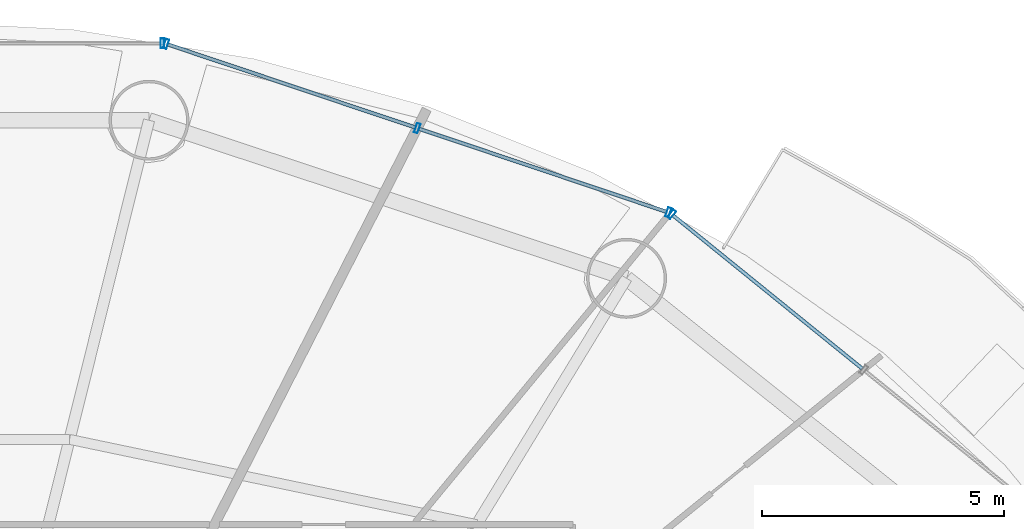
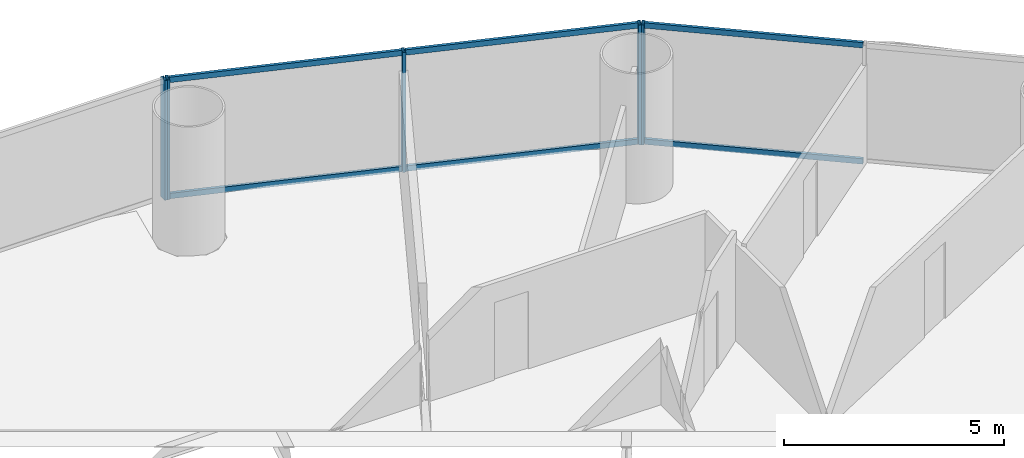
# One storey, part 20 of 30: 11 members, 3 elements without a shape of their own.
"""IFC4 building model written with IfcOpenShell, lengths in metres."""

from ifc_helpers import new_model, si_unit, direction, frame, origin, origin_2d, place, context, subcontext, project, spatial, hollow_rectangle, extrude, source, transform, mapped, material, material_profile, profile_set, type_object, element, aggregate, save


model = new_model("IFC4")

# Units and contexts
model_context = context("Model", 3, precision=1e-05, world=origin(), true_north=direction((-0.2419218956, 0.970295726276)))
body_context = subcontext(model_context, "Body", "Model", "MODEL_VIEW")
ifc_project = project(units=[si_unit("LENGTHUNIT", "METRE"), si_unit("AREAUNIT", "SQUARE_METRE"), si_unit("VOLUMEUNIT", "CUBIC_METRE"), si_unit("PLANEANGLEUNIT", "RADIAN"), si_unit("MASSUNIT", "GRAM", prefix="KILO")], contexts=[model_context])

# Site, building, storey
site_placement = place(None, origin())
site = spatial("IfcSite", under=ifc_project, at=site_placement, CompositionType="ELEMENT")
building_placement = place(site_placement, origin())
building = spatial("IfcBuilding", under=site, at=building_placement, Name="Cobrevalo Terracotta Tower", CompositionType="ELEMENT")
storey_placement = place(building_placement, frame((0.0, 0.0, 31.199951171875)))
storey = spatial("IfcBuildingStorey", under=building, at=storey_placement, Name="L07", CompositionType="ELEMENT", Elevation=31.199951171875)

# Curtain wall, member
ifc_material = material(Name="Anodized aluminium", Category="aluminium")
curtain_wall_type = type_object("IfcCurtainWallType", Name="Lower-tower unitised acoustic low-E curtain wall CW-U1", PredefinedType="NOTDEFINED", material=ifc_material)
curtain_wall_1_placement = place(storey_placement, origin())
curtain_wall_1 = element("IfcCurtainWall", 1, at=curtain_wall_1_placement, inside=storey, type_object=curtain_wall_type, Name="L07 curtain wall CW-L07-S02", PredefinedType="NOTDEFINED")
ifc_material_profile_1 = material_profile(ifc_material, hollow_rectangle(XDim=0.074951171875, YDim=0.199951171875, WallThickness=0.0048828125, at=origin_2d()), Name="CWM 75x200")
ifc_profile_set_1 = profile_set([ifc_material_profile_1], Name="Anodized aluminium")
member_type_1 = type_object("IfcMemberType", Name="Lower/mid tower unitised mullion 75x200", PredefinedType="MULLION", material=ifc_profile_set_1)
shared_shape_1 = source(origin(), body_context, "Body", "SweptSolid", [
    extrude(hollow_rectangle(XDim=0.074951171875, YDim=0.199951171875, WallThickness=0.0048828125, at=origin_2d()), origin(), (0.0, 0.0, 1.0), 3.320068359375),
])
member_1_placement = place(storey_placement, frame((54.1259765625, 46.289306640625, 0.0), z_axis=(0.0, 0.0, 1.0), x_axis=(-0.777003153187, 0.629496703675, 0.0)))
member_1 = element("IfcMember", 2, at=member_1_placement, type_object=member_type_1, Name="CW-L07-S02 vertical mullion 03", PredefinedType="MULLION", context=body_context, shape_type="MappedRepresentation", body=[
    mapped(shared_shape_1, transform((0.0, 0.0, 0.0), scale=1.0)),
])

# Curtain wall, members
curtain_wall_2_placement = place(storey_placement, origin())
curtain_wall_2 = element("IfcCurtainWall", 3, at=curtain_wall_2_placement, inside=storey, type_object=curtain_wall_type, Name="L07 curtain wall CW-L07-S03", PredefinedType="NOTDEFINED")
member_2_placement = place(storey_placement, frame((54.056884765625, 46.327392578125, 0.0), z_axis=(0.0, 0.0, 1.0), x_axis=(-0.948046393597, 0.318132103987, 0.0)))
member_2 = element("IfcMember", 4, at=member_2_placement, type_object=member_type_1, Name="CW-L07-S03 vertical mullion 01", PredefinedType="MULLION", context=body_context, shape_type="MappedRepresentation", body=[
    mapped(shared_shape_1, transform((0.0, 0.0, 0.0), scale=1.0)),
])
member_3_placement = place(storey_placement, frame((48.873291015625, 48.06689453125, 0.0), z_axis=(0.0, 0.0, 1.0), x_axis=(-0.948046393597, 0.318132103987, 0.0)))
member_3 = element("IfcMember", 5, at=member_3_placement, type_object=member_type_1, Name="CW-L07-S03 vertical mullion 02", PredefinedType="MULLION", context=body_context, shape_type="MappedRepresentation", body=[
    mapped(shared_shape_1, transform((0.0, 0.0, 0.0), scale=1.0)),
])
member_4_placement = place(storey_placement, frame((43.689697265625, 49.806396484375, 0.0), z_axis=(0.0, 0.0, 1.0), x_axis=(-0.948046393597, 0.318132103987, 0.0)))
member_4 = element("IfcMember", 6, at=member_4_placement, type_object=member_type_1, Name="CW-L07-S03 vertical mullion 03", PredefinedType="MULLION", context=body_context, shape_type="MappedRepresentation", body=[
    mapped(shared_shape_1, transform((0.0, 0.0, 0.0), scale=1.0)),
])

# Curtain wall, member
curtain_wall_3_placement = place(storey_placement, origin())
curtain_wall_3 = element("IfcCurtainWall", 7, at=curtain_wall_3_placement, inside=storey, type_object=curtain_wall_type, Name="L07 curtain wall CW-L07-S04", PredefinedType="NOTDEFINED")
member_5_placement = place(storey_placement, frame((43.61181640625, 49.819091796875, 0.0), z_axis=(0.0, 0.0, 1.0), x_axis=(-1.0, 0.0, 0.0)))
member_5 = element("IfcMember", 8, at=member_5_placement, type_object=member_type_1, Name="CW-L07-S04 vertical mullion 01", PredefinedType="MULLION", context=body_context, shape_type="MappedRepresentation", body=[
    mapped(shared_shape_1, transform((0.0, 0.0, 0.0), scale=1.0)),
])
aggregate(curtain_wall_3, [member_5])

# Member
ifc_material_profile_2 = material_profile(ifc_material, hollow_rectangle(XDim=0.074951171875, YDim=0.14990234375, WallThickness=0.00439453125, at=origin_2d()), Name="CWT 75x150")
ifc_profile_set_2 = profile_set([ifc_material_profile_2], Name="Anodized aluminium")
member_type_2 = type_object("IfcMemberType", Name="Tower unitised aluminium transom 75x150", PredefinedType="USERDEFINED", material=ifc_profile_set_2)
shared_shape_2 = source(origin(), body_context, "Body", "SweptSolid", [
    extrude(hollow_rectangle(XDim=0.074951171875, YDim=0.14990234375, WallThickness=0.00439453125, at=origin_2d()), origin(), (0.0, 0.0, 1.0), 5.0234375),
])
member_6_placement = place(storey_placement, frame((58.060302734375, 43.10205078125, 0.050048828125), z_axis=(-0.777022991593, 0.629472215857, 0.0), x_axis=(-0.629472215857, -0.777022991593, 0.0)))
member_6 = element("IfcMember", 9, at=member_6_placement, type_object=member_type_2, Name="CW-L07-S02 transom B02-T1", ObjectType="TRANSOM", PredefinedType="USERDEFINED", context=body_context, shape_type="MappedRepresentation", body=[
    mapped(shared_shape_2, transform((0.0, 0.0, 0.0), scale=1.0)),
])

member_7_placement = place(storey_placement, frame((58.060302734375, 43.10205078125, 3.27001953125), z_axis=(-0.777022991593, 0.629472215857, 0.0), x_axis=(-0.629472215857, -0.777022991593, 0.0)))
member_7 = element("IfcMember", 10, at=member_7_placement, type_object=member_type_2, Name="CW-L07-S02 transom B02-T2", ObjectType="TRANSOM", PredefinedType="USERDEFINED", context=body_context, shape_type="MappedRepresentation", body=[
    mapped(shared_shape_2, transform((0.0, 0.0, 0.0), scale=1.0)),
])

aggregate(curtain_wall_1, [member_1, member_6, member_7])

shared_shape_3 = source(origin(), body_context, "Body", "SweptSolid", [
    extrude(hollow_rectangle(XDim=0.074951171875, YDim=0.14990234375, WallThickness=0.00439453125, at=origin_2d()), origin(), (0.0, 0.0, 1.0), 5.387939453125),
])
member_8_placement = place(storey_placement, frame((54.01904296875, 46.340087890625, 0.050048828125), z_axis=(-0.94804244582, 0.318143868278, 0.0), x_axis=(-0.318143868278, -0.94804244582, 0.0)))
member_8 = element("IfcMember", 11, at=member_8_placement, type_object=member_type_2, Name="CW-L07-S03 transom B01-T1", ObjectType="TRANSOM", PredefinedType="USERDEFINED", context=body_context, shape_type="MappedRepresentation", body=[
    mapped(shared_shape_3, transform((0.0, 0.0, 0.0), scale=1.0)),
])

member_9_placement = place(storey_placement, frame((54.01904296875, 46.340087890625, 3.27001953125), z_axis=(-0.94804244582, 0.318143868278, 0.0), x_axis=(-0.318143868278, -0.94804244582, 0.0)))
member_9 = element("IfcMember", 12, at=member_9_placement, type_object=member_type_2, Name="CW-L07-S03 transom B01-T2", ObjectType="TRANSOM", PredefinedType="USERDEFINED", context=body_context, shape_type="MappedRepresentation", body=[
    mapped(shared_shape_3, transform((0.0, 0.0, 0.0), scale=1.0)),
])

member_10_placement = place(storey_placement, frame((48.83544921875, 48.07958984375, 0.050048828125), z_axis=(-0.94804244582, 0.318143868278, 0.0), x_axis=(-0.318143868278, -0.94804244582, 0.0)))
member_10 = element("IfcMember", 13, at=member_10_placement, type_object=member_type_2, Name="CW-L07-S03 transom B02-T1", ObjectType="TRANSOM", PredefinedType="USERDEFINED", context=body_context, shape_type="MappedRepresentation", body=[
    mapped(shared_shape_3, transform((0.0, 0.0, 0.0), scale=1.0)),
])

member_11_placement = place(storey_placement, frame((48.83544921875, 48.07958984375, 3.27001953125), z_axis=(-0.94804244582, 0.318143868278, 0.0), x_axis=(-0.318143868278, -0.94804244582, 0.0)))
member_11 = element("IfcMember", 14, at=member_11_placement, type_object=member_type_2, Name="CW-L07-S03 transom B02-T2", ObjectType="TRANSOM", PredefinedType="USERDEFINED", context=body_context, shape_type="MappedRepresentation", body=[
    mapped(shared_shape_3, transform((0.0, 0.0, 0.0), scale=1.0)),
])

aggregate(curtain_wall_2, [member_2, member_3, member_4, member_8, member_9, member_10, member_11])

save(model, "model.ifc")
